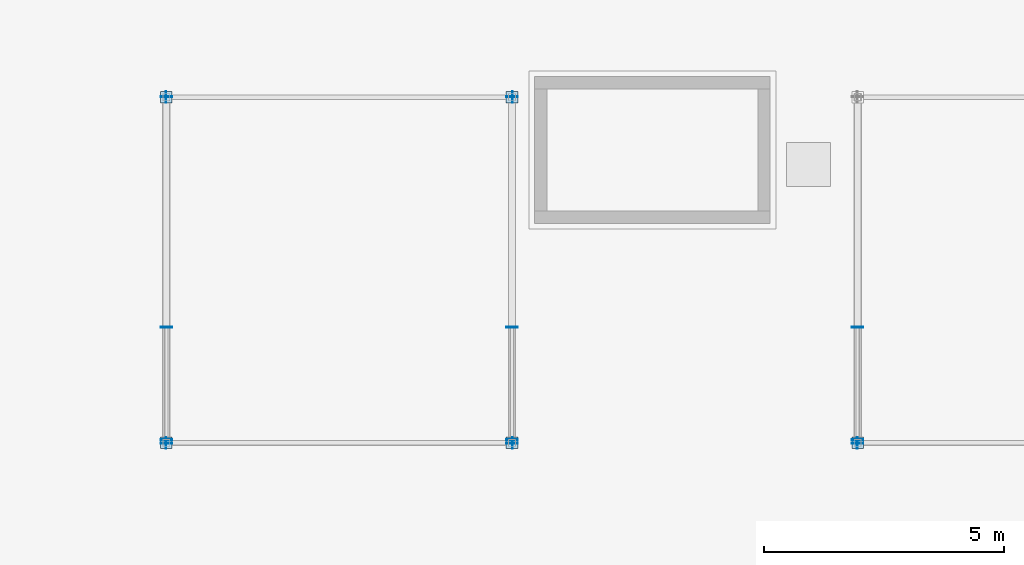
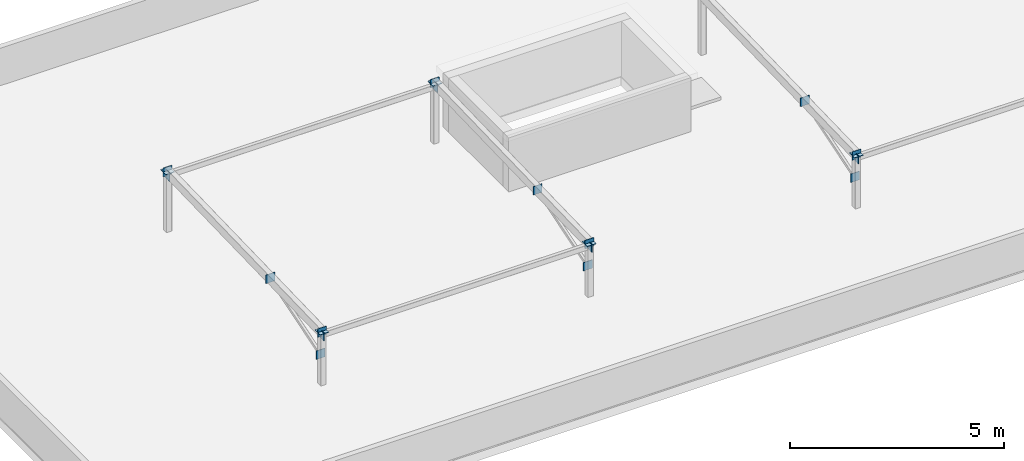
# One storey, part 7 of 16: 21 plates.
"""IFC4 building model written with IfcOpenShell, lengths in metres."""

from ifc_helpers import new_model, si_unit, direction, frame, origin, origin_2d, place, context, subcontext, project, spatial, rectangle, extrude, material, layer, layer_set, type_object, element, save


model = new_model("IFC4")

# Units and contexts
model_context = context("Model", 3, precision=1e-05, world=origin(), true_north=direction((0.0, 1.0)))
body_context = subcontext(model_context, "Body", "Model", "MODEL_VIEW")
ifc_project = project(units=[si_unit("LENGTHUNIT", "METRE"), si_unit("AREAUNIT", "SQUARE_METRE"), si_unit("VOLUMEUNIT", "CUBIC_METRE"), si_unit("PLANEANGLEUNIT", "RADIAN"), si_unit("MASSUNIT", "GRAM", prefix="KILO")], contexts=[model_context])

# Site, building, storey
site_placement = place(None, origin())
site = spatial("IfcSite", under=ifc_project, at=site_placement, CompositionType="ELEMENT")
building_placement = place(site_placement, origin())
building = spatial("IfcBuilding", under=site, at=building_placement, Name="Ochrevale Crest", CompositionType="ELEMENT")
storey_placement = place(building_placement, frame((0.0, 0.0, 46.5)))
storey = spatial("IfcBuildingStorey", under=building, at=storey_placement, Name="L14", CompositionType="ELEMENT", Elevation=46.5)

# Plates
ifc_material = material(Name="Steel S355", Category="steel")
ifc_layer = layer(ifc_material, 0.01611328125)
ifc_layer_set = layer_set([ifc_layer], Name="Steel S355")
plate_type = type_object("IfcPlateType", Name="PLT-CAP-16", PredefinedType="USERDEFINED", material=ifc_layer_set)
for number, where, z_axis, x_axis, name in (
    (1, (136.800048828125, 21.60009765625, 1.52001953125), (0.0, 0.0, 1.0), (1.0, 0.0, 0.0), "Block C solar-frame support post welded end cap plate CE"),
    (2, (136.800048828125, 28.800048828125, 1.719970703125), (0.0, 0.0, 1.0), (1.0, 0.0, 0.0), "Block C solar-frame support post welded end cap plate CE"),
):
    element("IfcPlate", number, at=place(storey_placement, frame(where, z_axis=z_axis, x_axis=x_axis)), inside=storey, type_object=plate_type, Name=name, ObjectType="CAP PLATE", PredefinedType="USERDEFINED", context=body_context, shape_type="SweptSolid", body=[
        extrude(rectangle(XDim=0.239990234375, YDim=0.239990234375, at=origin_2d()), origin(), (0.0, 0.0, 1.0), 0.01611328125),
    ])
for number, where, z_axis, x_axis, name in (
    (3, (136.800048828125, 21.592041015625, 1.39990234375), (0.0, 0.0, 1.0), (0.0, 1.0, 0.0), "Block C solar-frame array rafter 1 welded end cap plate CS"),
    (4, (136.800048828125, 28.80810546875, 1.60009765625), (0.0, 0.0, 1.0), (0.0, 1.0, 0.0), "Block C solar-frame array rafter 1 welded end cap plate CE"),
    (5, (136.800048828125, 21.662353515625, 0.7275390625), (0.0, 0.0, 1.0), (0.0, 1.0, 0.0), "Block C solar-frame knee-brace strut 1 welded end cap plate CS"),
    (6, (136.800048828125, 24.007568359375, 1.46728515625), (0.0, 0.0, 1.0), (0.0, 1.0, 0.0), "Block C solar-frame knee-brace strut 1 welded end cap plate CE"),
):
    element("IfcPlate", number, at=place(storey_placement, frame(where, z_axis=z_axis, x_axis=x_axis)), inside=storey, type_object=plate_type, Name=name, ObjectType="CAP PLATE", PredefinedType="USERDEFINED", context=body_context, shape_type="SweptSolid", body=[
        extrude(rectangle(XDim=0.01611328125, YDim=0.239990234375, at=origin_2d()), origin(), (0.0, 0.0, 1.0), 0.239990234375),
    ])
for number, where, z_axis, x_axis, name in (
    (7, (144.0, 21.60009765625, 1.52001953125), (0.0, 0.0, 1.0), (1.0, 0.0, 0.0), "Block C solar-frame support post welded end cap plate CE"),
    (8, (144.0, 28.800048828125, 1.719970703125), (0.0, 0.0, 1.0), (1.0, 0.0, 0.0), "Block C solar-frame support post welded end cap plate CE"),
):
    element("IfcPlate", number, at=place(storey_placement, frame(where, z_axis=z_axis, x_axis=x_axis)), inside=storey, type_object=plate_type, Name=name, ObjectType="CAP PLATE", PredefinedType="USERDEFINED", context=body_context, shape_type="SweptSolid", body=[
        extrude(rectangle(XDim=0.239990234375, YDim=0.239990234375, at=origin_2d()), origin(), (0.0, 0.0, 1.0), 0.01611328125),
    ])
for number, where, z_axis, x_axis, name in (
    (9, (144.0, 21.592041015625, 1.39990234375), (0.0, 0.0, 1.0), (0.0, 1.0, 0.0), "Block C solar-frame array rafter 2 welded end cap plate CS"),
    (10, (144.0, 28.80810546875, 1.60009765625), (0.0, 0.0, 1.0), (0.0, 1.0, 0.0), "Block C solar-frame array rafter 2 welded end cap plate CE"),
    (11, (144.0, 21.662353515625, 0.7275390625), (0.0, 0.0, 1.0), (0.0, 1.0, 0.0), "Block C solar-frame knee-brace strut 2 welded end cap plate CS"),
    (12, (144.0, 24.007568359375, 1.46728515625), (0.0, 0.0, 1.0), (0.0, 1.0, 0.0), "Block C solar-frame knee-brace strut 2 welded end cap plate CE"),
):
    element("IfcPlate", number, at=place(storey_placement, frame(where, z_axis=z_axis, x_axis=x_axis)), inside=storey, type_object=plate_type, Name=name, ObjectType="CAP PLATE", PredefinedType="USERDEFINED", context=body_context, shape_type="SweptSolid", body=[
        extrude(rectangle(XDim=0.01611328125, YDim=0.239990234375, at=origin_2d()), origin(), (0.0, 0.0, 1.0), 0.239990234375),
    ])
plate_placement = place(storey_placement, frame((151.199951171875, 21.60009765625, 1.52001953125), z_axis=(0.0, 0.0, 1.0), x_axis=(1.0, 0.0, 0.0)))
element("IfcPlate", 13, at=plate_placement, inside=storey, type_object=plate_type, Name="Block C solar-frame support post welded end cap plate CE", ObjectType="CAP PLATE", PredefinedType="USERDEFINED", context=body_context, shape_type="SweptSolid", body=[
    extrude(rectangle(XDim=0.239990234375, YDim=0.239990234375, at=origin_2d()), origin(), (0.0, 0.0, 1.0), 0.01611328125),
])
for number, where, z_axis, x_axis, name in (
    (14, (151.199951171875, 21.592041015625, 1.39990234375), (0.0, 0.0, 1.0), (0.0, 1.0, 0.0), "Block C solar-frame array rafter 3 welded end cap plate CS"),
    (15, (151.199951171875, 21.662353515625, 0.7275390625), (0.0, 0.0, 1.0), (0.0, 1.0, 0.0), "Block C solar-frame knee-brace strut 3 welded end cap plate CS"),
    (16, (151.199951171875, 24.007568359375, 1.46728515625), (0.0, 0.0, 1.0), (0.0, 1.0, 0.0), "Block C solar-frame knee-brace strut 3 welded end cap plate CE"),
    (17, (136.7919921875, 21.60009765625, 1.31982421875), (0.0, 0.0, 1.0), (1.0, 0.0, 0.0), "Block C solar-frame purlin W welded end cap plate CS"),
    (18, (144.008056640625, 21.60009765625, 1.31982421875), (0.0, 0.0, 1.0), (1.0, 0.0, 0.0), "Block C solar-frame purlin W welded end cap plate CE"),
    (19, (136.7919921875, 28.800048828125, 1.5), (0.0, 0.0, 1.0), (1.0, 0.0, 0.0), "Block C solar-frame purlin W welded end cap plate CS"),
    (20, (144.008056640625, 28.800048828125, 1.5), (0.0, 0.0, 1.0), (1.0, 0.0, 0.0), "Block C solar-frame purlin W welded end cap plate CE"),
    (21, (151.19189453125, 21.60009765625, 1.31982421875), (0.0, 0.0, 1.0), (1.0, 0.0, 0.0), "Block C solar-frame purlin E welded end cap plate CS"),
):
    element("IfcPlate", number, at=place(storey_placement, frame(where, z_axis=z_axis, x_axis=x_axis)), inside=storey, type_object=plate_type, Name=name, ObjectType="CAP PLATE", PredefinedType="USERDEFINED", context=body_context, shape_type="SweptSolid", body=[
        extrude(rectangle(XDim=0.01611328125, YDim=0.239990234375, at=origin_2d()), origin(), (0.0, 0.0, 1.0), 0.239990234375),
    ])

save(model, "model.ifc")
